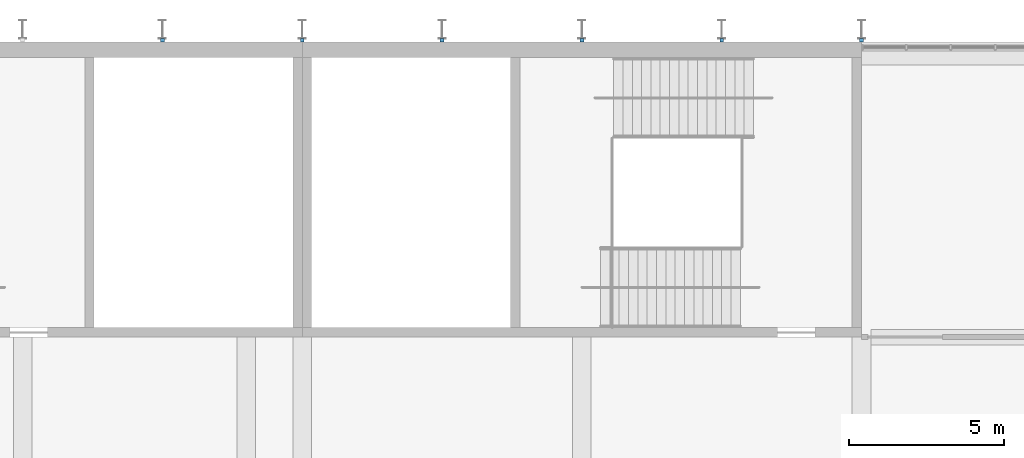
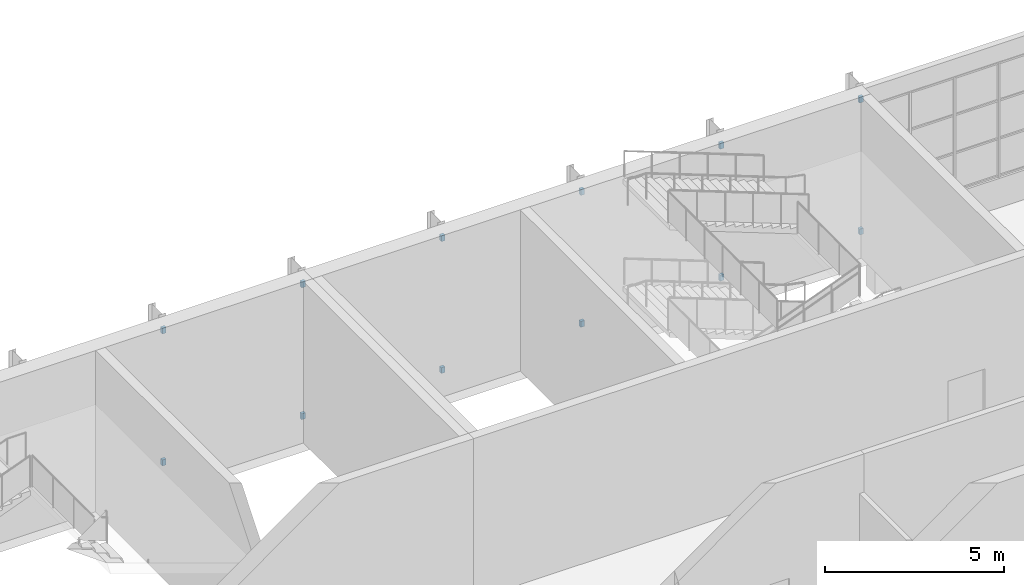
# One storey, part 54 of 84: 12 discrete accessories.
"""IFC4 building model written with IfcOpenShell, lengths in metres."""

from ifc_helpers import new_model, si_unit, direction, frame, origin, origin_2d, place, context, subcontext, project, spatial, rectangle, extrude, material, type_object, element, save


model = new_model("IFC4")

# Units and contexts
model_context = context("Model", 3, precision=1e-05, world=origin(), true_north=direction((0.0, 1.0)))
body_context = subcontext(model_context, "Body", "Model", "MODEL_VIEW")
ifc_project = project(units=[si_unit("LENGTHUNIT", "METRE"), si_unit("AREAUNIT", "SQUARE_METRE"), si_unit("VOLUMEUNIT", "CUBIC_METRE"), si_unit("PLANEANGLEUNIT", "RADIAN"), si_unit("MASSUNIT", "GRAM", prefix="KILO")], contexts=[model_context])

# Site, building, storey
site_placement = place(None, origin())
site = spatial("IfcSite", under=ifc_project, at=site_placement, CompositionType="ELEMENT")
building_placement = place(site_placement, origin())
building = spatial("IfcBuilding", under=site, at=building_placement, Name="Silverbay Arena", CompositionType="ELEMENT")
storey_placement = place(building_placement, frame((0.0, 0.0, 28.0)))
storey = spatial("IfcBuildingStorey", under=building, at=storey_placement, Name="L04", CompositionType="ELEMENT", Elevation=28.0)

# Discrete accessories
ifc_material = material(Name="Steel S355", Category="steel")
discrete_accessory_type = type_object("IfcDiscreteAccessoryType", Name="Steel bracket plate", PredefinedType="BRACKET", material=ifc_material)
for number, where, z_axis, x_axis, name in (
    (1, (94.5, 144.550048828125, 0.39990234375), (0.0, 0.0, 1.0), (1.0, 0.0, 0.0), "Fin bracket"),
    (2, (94.5, 144.550048828125, 4.89990234375), (0.0, 0.0, 1.0), (1.0, 0.0, 0.0), "Fin bracket"),
    (3, (99.0, 144.550048828125, 0.39990234375), (0.0, 0.0, 1.0), (1.0, 0.0, 0.0), "Fin bracket"),
    (4, (99.0, 144.550048828125, 4.89990234375), (0.0, 0.0, 1.0), (1.0, 0.0, 0.0), "Fin bracket"),
    (5, (103.5, 144.550048828125, 0.39990234375), (0.0, 0.0, 1.0), (1.0, 0.0, 0.0), "Fin bracket"),
    (6, (103.5, 144.550048828125, 4.89990234375), (0.0, 0.0, 1.0), (1.0, 0.0, 0.0), "Fin bracket"),
    (7, (108.0, 144.550048828125, 0.39990234375), (0.0, 0.0, 1.0), (1.0, 0.0, 0.0), "Fin bracket"),
    (8, (108.0, 144.550048828125, 4.89990234375), (0.0, 0.0, 1.0), (1.0, 0.0, 0.0), "Fin bracket"),
    (9, (112.5, 144.550048828125, 0.39990234375), (0.0, 0.0, 1.0), (1.0, 0.0, 0.0), "Fin bracket"),
    (10, (112.5, 144.550048828125, 4.89990234375), (0.0, 0.0, 1.0), (1.0, 0.0, 0.0), "Fin bracket"),
    (11, (117.0, 144.550048828125, 0.39990234375), (0.0, 0.0, 1.0), (1.0, 0.0, 0.0), "Fin bracket"),
    (12, (117.0, 144.550048828125, 4.89990234375), (0.0, 0.0, 1.0), (1.0, 0.0, 0.0), "Fin bracket"),
):
    element("IfcDiscreteAccessory", number, at=place(storey_placement, frame(where, z_axis=z_axis, x_axis=x_axis)), inside=storey, type_object=discrete_accessory_type, Name=name, PredefinedType="BRACKET", context=body_context, shape_type="SweptSolid", body=[
        extrude(rectangle(XDim=0.1201171875, YDim=0.10009765625, at=origin_2d()), origin(), (0.0, 0.0, 1.0), 0.199951171875),
    ])

save(model, "model.ifc")
